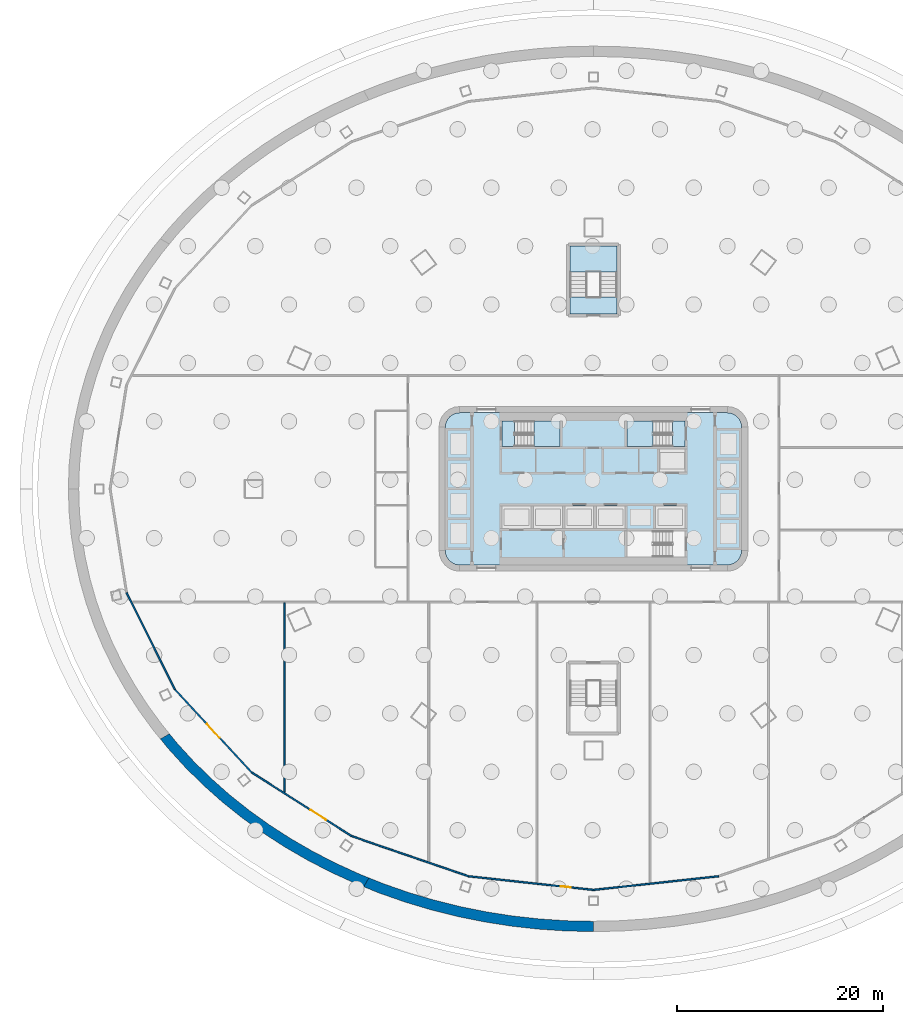
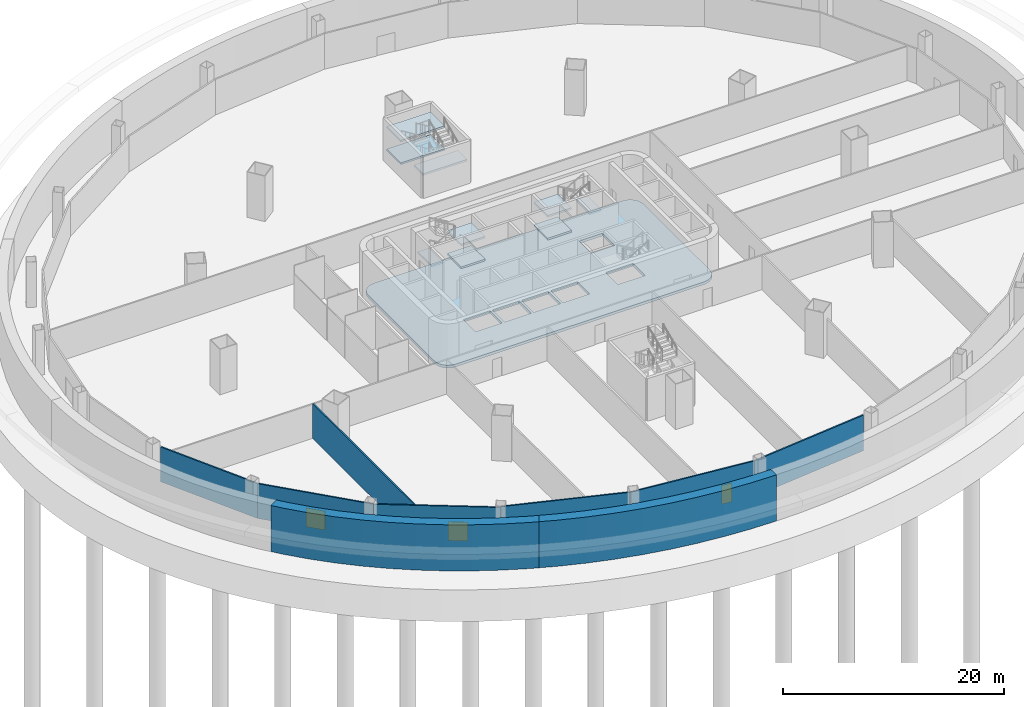
# One storey, part 4 of 19: 10 slabs, 9 walls, 3 doors, 3 openings, 3 elements without a shape of their own.
"""IFC4 building model written with IfcOpenShell, lengths in metres."""

from ifc_helpers import new_model, si_unit, direction, frame, frame_2d, origin, place, context, subcontext, project, spatial, polyline, rectangle, outline, extrude, material, layer, layer_set, type_object, element, fill, aggregate, save


model = new_model("IFC4")

# Units and contexts
model_context = context("Model", 3, precision=1e-05, world=origin(), true_north=direction((0.0, 1.0)))
body_context = subcontext(model_context, "Body", "Model", "MODEL_VIEW")
ifc_project = project(units=[si_unit("LENGTHUNIT", "METRE"), si_unit("AREAUNIT", "SQUARE_METRE"), si_unit("VOLUMEUNIT", "CUBIC_METRE"), si_unit("PLANEANGLEUNIT", "RADIAN"), si_unit("MASSUNIT", "GRAM", prefix="KILO")], contexts=[model_context])

# Site, building, storey
site_placement = place(None, origin())
site = spatial("IfcSite", under=ifc_project, at=site_placement, CompositionType="ELEMENT")
building_placement = place(site_placement, origin())
building = spatial("IfcBuilding", under=site, at=building_placement, Name="Sahrelin Media Tower", CompositionType="ELEMENT")
storey_placement = place(building_placement, frame((0.0, 0.0, -5.0)))
storey = spatial("IfcBuildingStorey", under=building, at=storey_placement, Name="B1", CompositionType="ELEMENT", Elevation=-5.0)

# Slab
ifc_material_1 = material(Name="Concrete C40/50", Category="concrete")
ifc_layer_1 = layer(ifc_material_1, 0.300048828125)
ifc_layer_set_1 = layer_set([ifc_layer_1], Name="Core floor slab 300")
slab_type_1 = type_object("IfcSlabType", Name="Core floor slab 300", PredefinedType="FLOOR", material=ifc_layer_set_1)
placement_1 = place(storey_placement, frame((0.0, 0.0, -0.300048828125)))
element("IfcSlab", 1, at=placement_1, inside=storey, type_object=slab_type_1, Name="Core floor", PredefinedType="FLOOR", context=body_context, shape_type="SweptSolid", body=[
    extrude(outline(polyline([(13.361083984375, -7.347412109375), (13.697509765625, -7.2080078125), (13.986328125, -6.986328125), (14.2080078125, -6.697509765625), (14.347412109375, -6.361083984375), (14.39990234375, -5.960693359375), (14.39990234375, 5.960693359375), (14.347412109375, 6.361083984375), (14.2080078125, 6.697509765625), (13.986328125, 6.986328125), (13.697509765625, 7.2080078125), (13.361083984375, 7.347412109375), (12.960693359375, 7.39990234375), (-12.960693359375, 7.39990234375), (-13.361083984375, 7.347412109375), (-13.697509765625, 7.2080078125), (-13.986328125, 6.986328125), (-14.2080078125, 6.697509765625), (-14.347412109375, 6.361083984375), (-14.39990234375, 5.960693359375), (-14.39990234375, -5.960693359375), (-14.347412109375, -6.361083984375), (-14.2080078125, -6.697509765625), (-13.986328125, -6.986328125), (-13.697509765625, -7.2080078125), (-13.361083984375, -7.347412109375), (-12.960693359375, -7.39990234375), (12.960693359375, -7.39990234375), (13.361083984375, -7.347412109375)]), holes=[polyline([(6.425048828125, 3.85009765625), (6.425048828125, 1.64990234375), (8.875, 1.64990234375), (8.875, 3.85009765625), (6.425048828125, 3.85009765625)]), polyline([(-6.074951171875, -1.64990234375), (-8.875, -1.64990234375), (-8.875, -3.85009765625), (-6.074951171875, -3.85009765625), (-6.074951171875, -1.64990234375)]), polyline([(-3.02490234375, -3.85009765625), (-3.02490234375, -1.64990234375), (-5.824951171875, -1.64990234375), (-5.824951171875, -3.85009765625), (-3.02490234375, -3.85009765625)]), polyline([(-2.77490234375, -3.85009765625), (0.02490234375, -3.85009765625), (0.02490234375, -1.64990234375), (-2.77490234375, -1.64990234375), (-2.77490234375, -3.85009765625)]), polyline([(0.27490234375, -1.64990234375), (0.27490234375, -3.85009765625), (3.074951171875, -3.85009765625), (3.074951171875, -1.64990234375), (0.27490234375, -1.64990234375)]), polyline([(8.875, -1.64990234375), (6.02490234375, -1.64990234375), (6.02490234375, -3.85009765625), (8.875, -3.85009765625), (8.875, -1.64990234375)])]), origin(), (0.0, 0.0, 1.0), 0.300048828125),
])

# Stair, slabs
stair_type_1 = type_object("IfcStairType", Name="Exit stair 1200", PredefinedType="HALF_TURN_STAIR", material=ifc_material_1)
placement_2 = place(storey_placement, origin())
stair_1 = element("IfcStair", 2, at=placement_2, inside=storey, type_object=stair_type_1, Name="B1 Exit stair ST1", PredefinedType="HALF_TURN_STAIR")
ifc_layer_2 = layer(ifc_material_1, 0.199951171875)
ifc_layer_set_2 = layer_set([ifc_layer_2], Name="Stair landing 200")
slab_type_2 = type_object("IfcSlabType", Name="Stair landing 200", PredefinedType="LANDING", material=ifc_layer_set_2)
placement_3 = place(storey_placement, frame((0.0, 0.0, 1.050048828125)))
slab_2 = element("IfcSlab", 3, at=placement_3, type_object=slab_type_2, Name="ST1 landing 1", PredefinedType="LANDING", context=body_context, shape_type="SweptSolid", body=[
    extrude(outline(polyline([(-5.77490234375, 4.10009765625), (-3.27490234375, 4.10009765625), (-3.27490234375, 6.60009765625), (-5.77490234375, 6.60009765625), (-5.77490234375, 4.10009765625)])), origin(), (0.0, 0.0, 1.0), 0.199951171875),
])
placement_4 = place(storey_placement, frame((0.0, 0.0, 2.300048828125)))
slab_3 = element("IfcSlab", 4, at=placement_4, type_object=slab_type_2, Name="ST1 landing 2", PredefinedType="LANDING", context=body_context, shape_type="SweptSolid", body=[
    extrude(outline(polyline([(-8.875, 4.10009765625), (-7.675048828125, 4.10009765625), (-7.675048828125, 6.60009765625), (-8.875, 6.60009765625), (-8.875, 4.10009765625)])), origin(), (0.0, 0.0, 1.0), 0.199951171875),
])
placement_5 = place(storey_placement, frame((0.0, 0.0, 3.550048828125)))
slab_4 = element("IfcSlab", 5, at=placement_5, type_object=slab_type_2, Name="ST1 landing 3", PredefinedType="LANDING", context=body_context, shape_type="SweptSolid", body=[
    extrude(outline(polyline([(-5.77490234375, 4.10009765625), (-3.27490234375, 4.10009765625), (-3.27490234375, 6.60009765625), (-5.77490234375, 6.60009765625), (-5.77490234375, 4.10009765625)])), origin(), (0.0, 0.0, 1.0), 0.199951171875),
])
aggregate(stair_1, [slab_2, slab_3, slab_4])

stair_2 = element("IfcStair", 6, at=placement_2, inside=storey, type_object=stair_type_1, Name="B1 Exit stair ST3", PredefinedType="HALF_TURN_STAIR")
slab_5 = element("IfcSlab", 7, at=placement_3, type_object=slab_type_2, Name="ST3 landing 1", PredefinedType="LANDING", context=body_context, shape_type="SweptSolid", body=[
    extrude(outline(polyline([(5.77490234375, 6.60009765625), (3.27490234375, 6.60009765625), (3.27490234375, 4.10009765625), (5.77490234375, 4.10009765625), (5.77490234375, 6.60009765625)])), origin(), (0.0, 0.0, 1.0), 0.199951171875),
])
slab_6 = element("IfcSlab", 8, at=placement_4, type_object=slab_type_2, Name="ST3 landing 2", PredefinedType="LANDING", context=body_context, shape_type="SweptSolid", body=[
    extrude(outline(polyline([(8.875, 6.60009765625), (7.675048828125, 6.60009765625), (7.675048828125, 4.10009765625), (8.875, 4.10009765625), (8.875, 6.60009765625)])), origin(), (0.0, 0.0, 1.0), 0.199951171875),
])
slab_7 = element("IfcSlab", 9, at=placement_5, type_object=slab_type_2, Name="ST3 landing 3", PredefinedType="LANDING", context=body_context, shape_type="SweptSolid", body=[
    extrude(outline(polyline([(5.77490234375, 6.60009765625), (3.27490234375, 6.60009765625), (3.27490234375, 4.10009765625), (5.77490234375, 4.10009765625), (5.77490234375, 6.60009765625)])), origin(), (0.0, 0.0, 1.0), 0.199951171875),
])
aggregate(stair_2, [slab_5, slab_6, slab_7])

stair_type_2 = type_object("IfcStairType", Name="Podium stair 1650", PredefinedType="HALF_TURN_STAIR", material=ifc_material_1)
stair_3 = element("IfcStair", 10, at=placement_2, inside=storey, type_object=stair_type_2, Name="B1 Podium stair BS1", PredefinedType="HALF_TURN_STAIR")
slab_8 = element("IfcSlab", 11, at=placement_3, type_object=slab_type_2, Name="BS1 landing 1", PredefinedType="LANDING", context=body_context, shape_type="SweptSolid", body=[
    extrude(outline(polyline([(2.300048828125, 21.050048828125), (2.300048828125, 23.60009765625), (-2.300048828125, 23.60009765625), (-2.300048828125, 21.050048828125), (2.300048828125, 21.050048828125)])), origin(), (0.0, 0.0, 1.0), 0.199951171875),
])
slab_9 = element("IfcSlab", 12, at=placement_4, type_object=slab_type_2, Name="BS1 landing 2", PredefinedType="LANDING", context=body_context, shape_type="SweptSolid", body=[
    extrude(outline(polyline([(2.300048828125, 17.0), (2.300048828125, 18.64990234375), (-2.300048828125, 18.64990234375), (-2.300048828125, 17.0), (2.300048828125, 17.0)])), origin(), (0.0, 0.0, 1.0), 0.199951171875),
])
slab_10 = element("IfcSlab", 13, at=placement_5, type_object=slab_type_2, Name="BS1 landing 3", PredefinedType="LANDING", context=body_context, shape_type="SweptSolid", body=[
    extrude(outline(polyline([(2.300048828125, 21.050048828125), (2.300048828125, 23.60009765625), (-2.300048828125, 23.60009765625), (-2.300048828125, 21.050048828125), (2.300048828125, 21.050048828125)])), origin(), (0.0, 0.0, 1.0), 0.199951171875),
])
aggregate(stair_3, [slab_8, slab_9, slab_10])

# Walls
ifc_material_2 = material(Name="Concrete C50/60", Category="concrete")
ifc_layer_3 = layer(ifc_material_2, 1.0)
ifc_layer_set_3 = layer_set([ifc_layer_3], Name="Basement retaining wall")
wall_type_1 = type_object("IfcWallType", Name="Basement retaining wall", PredefinedType="SOLIDWALL", material=ifc_layer_set_3)
element("IfcWall", 14, at=placement_1, inside=storey, type_object=wall_type_1, Name="Basement retaining wall 8", PredefinedType="SOLIDWALL", context=body_context, shape_type="SweptSolid", body=[
    extrude(outline(polyline([(-22.31494140625, -38.650634765625), (-21.811279296875, -37.7783203125), (-22.699462890625, -37.42236328125), (-25.0, -36.373046875), (-27.23193359375, -35.22412109375), (-29.389404296875, -33.978759765625), (-31.466064453125, -32.64013671875), (-33.45654296875, -31.212158203125), (-35.355224609375, -29.698486328125), (-37.1572265625, -28.103515625), (-38.857421875, -26.431396484375), (-40.45068359375, -24.68701171875), (-41.19140625, -23.781982421875), (-42.0654296875, -24.28662109375), (-41.260009765625, -25.27490234375), (-39.634521484375, -27.060791015625), (-37.900390625, -28.772705078125), (-36.0625, -30.405517578125), (-34.125732421875, -31.955078125), (-32.09521484375, -33.417236328125), (-29.97705078125, -34.78759765625), (-27.776611328125, -36.062744140625), (-25.5, -37.239013671875), (-23.153564453125, -38.313232421875), (-22.31494140625, -38.650634765625)])), origin(), (0.0, 0.0, 1.0), 5.10009765625),
])
element("IfcWall", 15, at=placement_1, inside=storey, type_object=wall_type_1, Name="Basement retaining wall 9", PredefinedType="SOLIDWALL", context=body_context, shape_type="SweptSolid", body=[
    extrude(outline(polyline([(0.0, -43.0), (0.0, -42.0), (-2.61669921875, -41.9423828125), (-5.226318359375, -41.77001953125), (-7.82177734375, -41.48291015625), (-10.3955078125, -41.082275390625), (-12.94091796875, -40.56884765625), (-15.45068359375, -39.9443359375), (-17.91845703125, -39.21044921875), (-20.3369140625, -38.368896484375), (-21.811279296875, -37.7783203125), (-22.31494140625, -38.650634765625), (-20.74365234375, -39.282470703125), (-18.27685546875, -40.14404296875), (-15.760009765625, -40.8955078125), (-13.19970703125, -41.534912109375), (-10.603515625, -42.060302734375), (-7.978271484375, -42.470703125), (-5.3310546875, -42.764404296875), (-2.669189453125, -42.941162109375), (0.0, -43.0)])), origin(), (0.0, 0.0, 1.0), 5.10009765625),
])
ifc_material_3 = material(Name="Fire-rated gypsum board partition")
ifc_layer_4 = layer(ifc_material_3, 0.14990234375)
ifc_layer_set_4 = layer_set([ifc_layer_4], Name="Fire-rated partition 150")
wall_type_2 = type_object("IfcWallType", Name="Fire-rated partition 150", PredefinedType="PARTITIONING", material=ifc_layer_set_4)
wall_3_placement = place(storey_placement, frame((-45.35009765625, -10.0810546875, 0.0), z_axis=(0.0, 0.0, 1.0), x_axis=(0.446692676619, -0.894687460879, 0.0)))
element("IfcWall", 16, at=wall_3_placement, inside=storey, type_object=wall_type_2, Name="Wall", PredefinedType="PARTITIONING", context=body_context, shape_type="SweptSolid", body=[
    extrude(rectangle(XDim=10.499755859375, YDim=0.14990234375, at=frame_2d((5.25, 0.0))), origin(), (0.0, 0.0, 1.0), 3.84521484375),
])

# Wall, opening, door
wall_4_placement = place(storey_placement, frame((-40.659912109375, -19.47509765625, 0.0), z_axis=(0.0, 0.0, 1.0), x_axis=(0.679018932137, -0.734120759685, 0.0)))
wall_4 = element("IfcWall", 17, at=wall_4_placement, inside=storey, type_object=wall_type_2, Name="Wall", PredefinedType="PARTITIONING", context=body_context, shape_type="SweptSolid", body=[
    extrude(rectangle(XDim=10.98828125, YDim=0.14990234375, at=frame_2d((5.494140625, 0.0))), origin(), (0.0, 0.0, 1.0), 3.84521484375),
])
opening_1_placement = place(wall_4_placement, frame((4.593994140625, 0.0, 0.0)))
opening_1 = element("IfcOpeningElement", 18, at=opening_1_placement, cuts=wall_4, Name="Opening B1-D21", PredefinedType="OPENING", context=body_context, shape_type="SweptSolid", body=[
    extrude(rectangle(XDim=1.800048828125, YDim=2.10009765625, at=frame_2d((0.89990234375, 1.050048828125))), frame((0.0, 0.074951171875, 0.0), z_axis=(0.0, -1.0, 0.0), x_axis=(1.0, 0.0, 0.0)), (0.0, 0.0, 1.0), 0.14990234375),
])
ifc_material_4 = material(Name="Steel fire door leaf", Category="steel")
door_type_1 = type_object("IfcDoorType", Name="Service double door 1800 x 2100 EI 60", OperationType="DOUBLE_DOOR_SINGLE_SWING", PredefinedType="DOOR", material=ifc_material_4)
door_1_placement = place(opening_1_placement, origin())
door_1 = element("IfcDoor", 19, at=door_1_placement, inside=storey, type_object=door_type_1, Name="Service double door", OperationType="DOUBLE_DOOR_SINGLE_SWING", OverallHeight=2.10009765625, OverallWidth=1.800048828125, PredefinedType="DOOR", context=body_context, shape_type="SweptSolid", body=[
    extrude(rectangle(XDim=1.800048828125, YDim=2.10009765625, at=frame_2d((0.89990234375, 1.050048828125))), frame((0.0, 0.02490234375, 0.0), z_axis=(0.0, -1.0, 0.0), x_axis=(1.0, 0.0, 0.0)), (0.0, 0.0, 1.0), 0.050048828125),
])
fill(opening_1, door_1)

wall_5_placement = place(storey_placement, frame((-33.19873046875, -27.541748046875, 0.0), z_axis=(0.0, 0.0, 1.0), x_axis=(0.84357600759, -0.537009794527, 0.0)))
wall_5 = element("IfcWall", 20, at=wall_5_placement, inside=storey, type_object=wall_type_2, Name="Wall", PredefinedType="PARTITIONING", context=body_context, shape_type="SweptSolid", body=[
    extrude(rectangle(XDim=11.526611328125, YDim=0.14990234375, at=frame_2d((5.76318359375, 0.0))), origin(), (0.0, 0.0, 1.0), 3.84521484375),
])
opening_2_placement = place(wall_5_placement, frame((6.762939453125, 0.0, 0.0)))
opening_2 = element("IfcOpeningElement", 21, at=opening_2_placement, cuts=wall_5, Name="Opening B1-D22", PredefinedType="OPENING", context=body_context, shape_type="SweptSolid", body=[
    extrude(rectangle(XDim=1.800048828125, YDim=2.10009765625, at=frame_2d((0.89990234375, 1.050048828125))), frame((0.0, 0.074951171875, 0.0), z_axis=(0.0, -1.0, 0.0), x_axis=(1.0, 0.0, 0.0)), (0.0, 0.0, 1.0), 0.14990234375),
])
door_2_placement = place(opening_2_placement, origin())
door_2 = element("IfcDoor", 22, at=door_2_placement, inside=storey, type_object=door_type_1, Name="Service double door", OperationType="DOUBLE_DOOR_SINGLE_SWING", OverallHeight=2.10009765625, OverallWidth=1.800048828125, PredefinedType="DOOR", context=body_context, shape_type="SweptSolid", body=[
    extrude(rectangle(XDim=1.800048828125, YDim=2.10009765625, at=frame_2d((0.89990234375, 1.050048828125))), frame((0.0, 0.02490234375, 0.0), z_axis=(0.0, -1.0, 0.0), x_axis=(1.0, 0.0, 0.0)), (0.0, 0.0, 1.0), 0.050048828125),
])
fill(opening_2, door_2)

# Wall
wall_6_placement = place(storey_placement, frame((-23.47509765625, -33.731689453125, 0.0), z_axis=(0.0, 0.0, 1.0), x_axis=(0.945720874623, -0.324980041391, 0.0)))
element("IfcWall", 23, at=wall_6_placement, inside=storey, type_object=wall_type_2, Name="Wall", PredefinedType="PARTITIONING", context=body_context, shape_type="SweptSolid", body=[
    extrude(rectangle(XDim=11.973388671875, YDim=0.14990234375, at=frame_2d((5.98681640625, 0.0))), origin(), (0.0, 0.0, 1.0), 3.926025390625),
])

# Wall, opening, door
wall_7_placement = place(storey_placement, frame((-12.151611328125, -37.622802734375, 0.0), z_axis=(0.0, 0.0, 1.0), x_axis=(0.994088780117, -0.108570241069, 0.0)))
wall_7 = element("IfcWall", 24, at=wall_7_placement, inside=storey, type_object=wall_type_2, Name="Wall", PredefinedType="PARTITIONING", context=body_context, shape_type="SweptSolid", body=[
    extrude(rectangle(XDim=12.223876953125, YDim=0.14990234375, at=frame_2d((6.11181640625, 0.0))), origin(), (0.0, 0.0, 1.0), 3.926025390625),
])
opening_3_placement = place(wall_7_placement, frame((9.011962890625, 0.0, 0.0)))
opening_3 = element("IfcOpeningElement", 25, at=opening_3_placement, cuts=wall_7, Name="Opening B1-D25", PredefinedType="OPENING", context=body_context, shape_type="SweptSolid", body=[
    extrude(rectangle(XDim=1.0, YDim=2.10009765625, at=frame_2d((0.5, 1.050048828125))), frame((0.0, 0.074951171875, 0.0), z_axis=(0.0, -1.0, 0.0), x_axis=(1.0, 0.0, 0.0)), (0.0, 0.0, 1.0), 0.14990234375),
])
door_type_2 = type_object("IfcDoorType", Name="Lobby door 1000 x 2100 EI 60", OperationType="NOTDEFINED", PredefinedType="DOOR", material=ifc_material_4)
door_3_placement = place(opening_3_placement, origin())
door_3 = element("IfcDoor", 26, at=door_3_placement, inside=storey, type_object=door_type_2, Name="Lobby door", OperationType="SINGLE_SWING_RIGHT", OverallHeight=2.10009765625, OverallWidth=1.0, PredefinedType="DOOR", context=body_context, shape_type="SweptSolid", body=[
    extrude(rectangle(XDim=1.0, YDim=2.10009765625, at=frame_2d((0.5, 1.050048828125))), frame((0.0, 0.02490234375, 0.0), z_axis=(0.0, -1.0, 0.0), x_axis=(1.0, 0.0, 0.0)), (0.0, 0.0, 1.0), 0.050048828125),
])
fill(opening_3, door_3)

# Walls
wall_8_placement = place(storey_placement, frame((0.0, -38.949951171875, 0.0), z_axis=(0.0, 0.0, 1.0), x_axis=(0.994088780117, 0.108570241069, 0.0)))
element("IfcWall", 27, at=wall_8_placement, inside=storey, type_object=wall_type_2, Name="Wall", PredefinedType="PARTITIONING", context=body_context, shape_type="SweptSolid", body=[
    extrude(rectangle(XDim=12.223876953125, YDim=0.14990234375, at=frame_2d((6.11181640625, 0.0))), origin(), (0.0, 0.0, 1.0), 3.926025390625),
])
wall_9_placement = place(storey_placement, frame((-30.0, -11.074951171875, 0.0), z_axis=(0.0, 0.0, 1.0), x_axis=(0.0, -1.0, 0.0)))
element("IfcWall", 28, at=wall_9_placement, inside=storey, type_object=wall_type_2, Name="Wall", PredefinedType="PARTITIONING", context=body_context, shape_type="SweptSolid", body=[
    extrude(rectangle(XDim=18.366455078125, YDim=0.14990234375, at=frame_2d((9.18310546875, 0.0))), origin(), (0.0, 0.0, 1.0), 3.84521484375),
])

save(model, "model.ifc")
